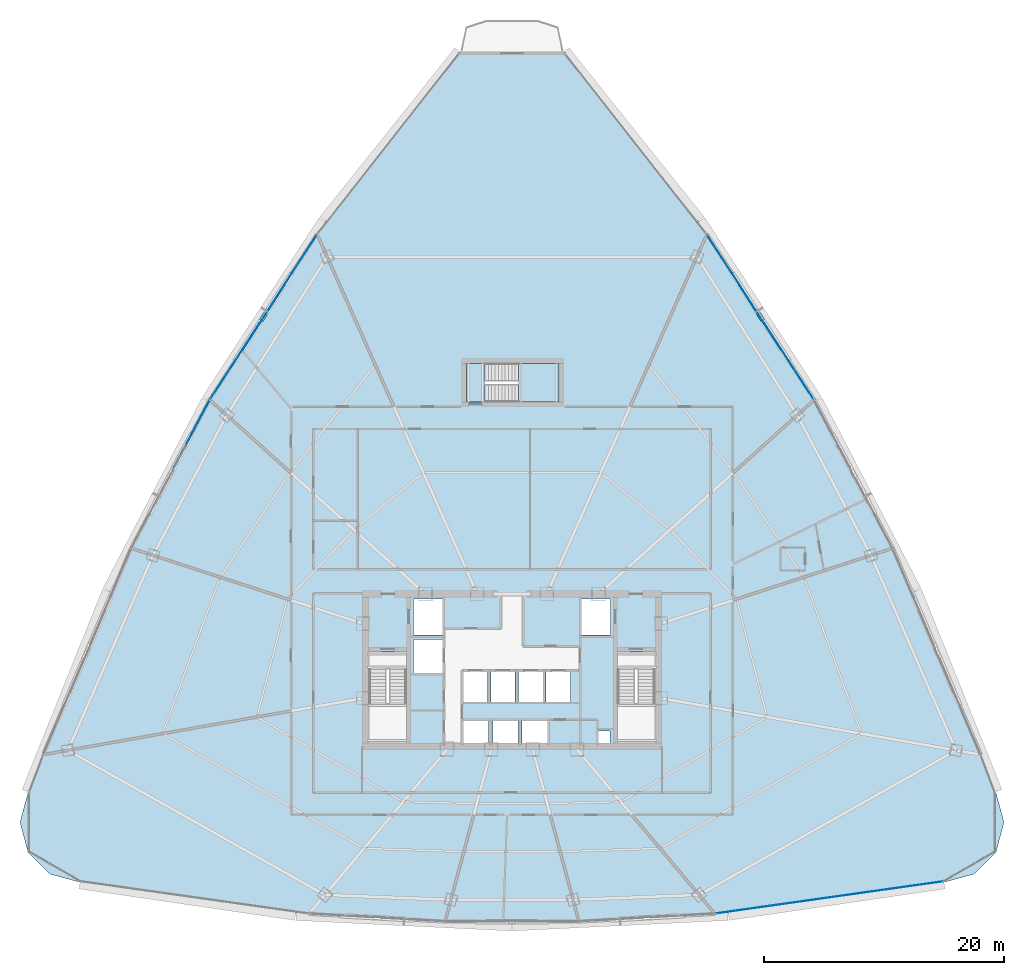
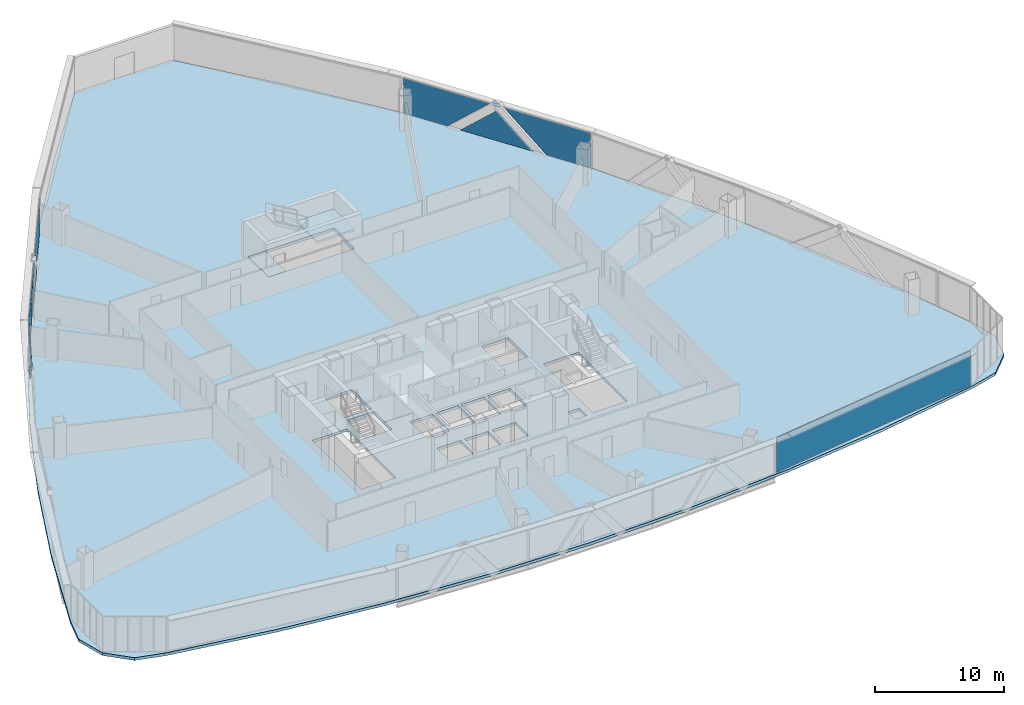
# One storey, part 32 of 42: 10 plates, 3 slabs, 5 elements without a shape of their own.
"""IFC4 building model written with IfcOpenShell, lengths in metres."""

from ifc_helpers import new_model, si_unit, direction, frame, origin, origin_2d, place, context, subcontext, project, spatial, polyline, rectangle, outline, extrude, source, transform, mapped, material, layer, layer_set, type_object, element, aggregate, save


model = new_model("IFC4")

# Units and contexts
model_context = context("Model", 3, precision=1e-05, world=origin(), true_north=direction((0.0, 1.0)))
body_context = subcontext(model_context, "Body", "Model", "MODEL_VIEW")
ifc_project = project(units=[si_unit("LENGTHUNIT", "METRE"), si_unit("AREAUNIT", "SQUARE_METRE"), si_unit("VOLUMEUNIT", "CUBIC_METRE"), si_unit("PLANEANGLEUNIT", "RADIAN"), si_unit("MASSUNIT", "GRAM", prefix="KILO"), si_unit("THERMODYNAMICTEMPERATUREUNIT", "KELVIN"), si_unit("POWERUNIT", "WATT")], contexts=[model_context])

# Site, building, storey
site_placement = place(None, origin())
site = spatial("IfcSite", under=ifc_project, at=site_placement, CompositionType="ELEMENT")
building_placement = place(site_placement, origin())
building = spatial("IfcBuilding", under=site, at=building_placement, Name="Yunzhuo Pagoda Commons", CompositionType="ELEMENT")
storey_placement = place(building_placement, frame((0.0, 0.0, 133.510009765625)))
storey = spatial("IfcBuildingStorey", under=building, at=storey_placement, Name="L33", CompositionType="ELEMENT", Elevation=133.510009765625)

# Curtain wall, plates
ifc_material_1 = material(Name="Anodized aluminium 6063-T6", Category="aluminium")
ifc_layer_1 = layer(ifc_material_1, 0.14990234375)
ifc_layer_set_1 = layer_set([ifc_layer_1], Name="Anodized aluminium 6063-T6")
curtain_wall_type = type_object("IfcCurtainWallType", Name="CW-MID Mid-Zone Ribbon Curtain Wall", PredefinedType="NOTDEFINED", material=ifc_layer_set_1)
curtain_wall_1_placement = place(storey_placement, origin())
curtain_wall_1 = element("IfcCurtainWall", 1, at=curtain_wall_1_placement, inside=storey, type_object=curtain_wall_type, Name="L33 curtain wall CW-L33-F2B4", PredefinedType="NOTDEFINED")
ifc_material_2 = material(Name="Tempered low-e double glazing", Category="glass")
ifc_layer_2 = layer(ifc_material_2, 0.028076171875)
ifc_layer_set_2 = layer_set([ifc_layer_2], Name="Tempered low-e double glazing")
plate_type_1 = type_object("IfcPlateType", Name="CW-MID-P Low-E Double Glazing 28", PredefinedType="CURTAIN_PANEL", material=ifc_layer_set_2)
plate_1_placement = place(storey_placement, frame((71.08251953125, 59.568603515625, 1.7099609375), z_axis=(0.839249165596, 0.543747034977, 0.0), x_axis=(-0.543747034977, 0.839249165596, 0.0)))
plate_1 = element("IfcPlate", 2, at=plate_1_placement, type_object=plate_type_1, Name="CW panel 1.1 lite 1", PredefinedType="CURTAIN_PANEL", context=body_context, shape_type="SweptSolid", body=[
    extrude(outline(polyline([(-3.764404296875, -1.655029296875), (0.067626953125, -1.655029296875), (3.764404296875, 1.655029296875), (-3.764404296875, 1.655029296875), (-3.764404296875, -1.655029296875)])), origin(), (0.0, 0.0, 1.0), 0.028076171875),
])
plate_2_placement = place(storey_placement, frame((68.66748046875, 63.2412109375, 1.482421875), z_axis=(0.839249165596, 0.543747034977, 0.0), x_axis=(-0.543747034977, 0.839249165596, 0.0)))
plate_2 = element("IfcPlate", 3, at=plate_2_placement, type_object=plate_type_1, Name="CW panel 1.1 lite 2", PredefinedType="CURTAIN_PANEL", context=body_context, shape_type="SweptSolid", body=[
    extrude(outline(polyline([(-3.1884765625, -1.427490234375), (3.1884765625, -1.427490234375), (0.0, 1.427490234375), (-3.1884765625, -1.427490234375)])), origin(), (0.0, 0.0, 1.0), 0.028076171875),
])
plate_3_placement = place(storey_placement, frame((66.302490234375, 66.946533203125, 1.7099609375), z_axis=(0.839249165596, 0.543747034977, 0.0), x_axis=(-0.543747034977, 0.839249165596, 0.0)))
plate_3 = element("IfcPlate", 4, at=plate_3_placement, type_object=plate_type_1, Name="CW panel 1.1 lite 3", PredefinedType="CURTAIN_PANEL", context=body_context, shape_type="SweptSolid", body=[
    extrude(outline(polyline([(-3.764404296875, 1.655029296875), (-0.067626953125, -1.655029296875), (3.764404296875, -1.655029296875), (3.764404296875, 1.655029296875), (-3.764404296875, 1.655029296875)])), origin(), (0.0, 0.0, 1.0), 0.028076171875),
])
aggregate(curtain_wall_1, [plate_1, plate_2, plate_3])

curtain_wall_2_placement = place(storey_placement, origin())
curtain_wall_2 = element("IfcCurtainWall", 5, at=curtain_wall_2_placement, inside=storey, type_object=curtain_wall_type, Name="L33 curtain wall CW-L33-F3B2", PredefinedType="NOTDEFINED")
plate_4_placement = place(storey_placement, frame((29.697509765625, 66.946533203125, 1.7099609375), z_axis=(-0.839249165596, 0.543747034977, 0.0), x_axis=(-0.543747034977, -0.839249165596, 0.0)))
plate_4 = element("IfcPlate", 6, at=plate_4_placement, type_object=plate_type_1, Name="CW panel 1.1 lite 1", PredefinedType="CURTAIN_PANEL", context=body_context, shape_type="SweptSolid", body=[
    extrude(outline(polyline([(-3.764404296875, -1.655029296875), (0.067626953125, -1.655029296875), (3.764404296875, 1.655029296875), (-3.764404296875, 1.655029296875), (-3.764404296875, -1.655029296875)])), origin(), (0.0, 0.0, 1.0), 0.028076171875),
])
plate_5_placement = place(storey_placement, frame((27.33251953125, 63.2412109375, 1.482421875), z_axis=(-0.839249165596, 0.543747034977, 0.0), x_axis=(-0.543747034977, -0.839249165596, 0.0)))
plate_5 = element("IfcPlate", 7, at=plate_5_placement, type_object=plate_type_1, Name="CW panel 1.1 lite 2", PredefinedType="CURTAIN_PANEL", context=body_context, shape_type="SweptSolid", body=[
    extrude(outline(polyline([(-3.1884765625, -1.427490234375), (3.1884765625, -1.427490234375), (0.0, 1.427490234375), (-3.1884765625, -1.427490234375)])), origin(), (0.0, 0.0, 1.0), 0.028076171875),
])
plate_6_placement = place(storey_placement, frame((24.91748046875, 59.568603515625, 1.7099609375), z_axis=(-0.839249165596, 0.543747034977, 0.0), x_axis=(-0.543747034977, -0.839249165596, 0.0)))
plate_6 = element("IfcPlate", 8, at=plate_6_placement, type_object=plate_type_1, Name="CW panel 1.1 lite 3", PredefinedType="CURTAIN_PANEL", context=body_context, shape_type="SweptSolid", body=[
    extrude(outline(polyline([(-3.764404296875, 1.655029296875), (-0.067626953125, -1.655029296875), (3.764404296875, -1.655029296875), (3.764404296875, 1.655029296875), (-3.764404296875, 1.655029296875)])), origin(), (0.0, 0.0, 1.0), 0.028076171875),
])
aggregate(curtain_wall_2, [plate_4, plate_5, plate_6])

# Curtain wall, plate
curtain_wall_3_placement = place(storey_placement, origin())
curtain_wall_3 = element("IfcCurtainWall", 9, at=curtain_wall_3_placement, inside=storey, type_object=curtain_wall_type, Name="L33 curtain wall CW-L33-F3B3", PredefinedType="NOTDEFINED")
plate_7_placement = place(storey_placement, frame((21.32275390625, 53.498291015625, 1.7099609375), z_axis=(-0.883694161172, 0.468064770635, 0.0), x_axis=(-0.468064770635, -0.883694161172, 0.0)))
plate_7 = element("IfcPlate", 10, at=plate_7_placement, type_object=plate_type_1, Name="CW panel 1.1 lite 1", PredefinedType="CURTAIN_PANEL", context=body_context, shape_type="SweptSolid", body=[
    extrude(outline(polyline([(-3.178466796875, -1.655029296875), (0.033203125, -1.655029296875), (3.178466796875, 1.655029296875), (-3.178466796875, 1.655029296875), (-3.178466796875, -1.655029296875)])), origin(), (0.0, 0.0, 1.0), 0.028076171875),
])
aggregate(curtain_wall_3, [plate_7])

# Stair, slabs
ifc_material_3 = material(Name="Concrete C40", Category="concrete")
stair_type = type_object("IfcStairType", Name="ST-C3 North Tower Smokeproof Stair ST3", PredefinedType="HALF_TURN_STAIR", material=ifc_material_3)
stair_placement = place(storey_placement, origin())
stair = element("IfcStair", 11, at=stair_placement, inside=storey, type_object=stair_type, Name="L33 North tower smokeproof stair ST3", PredefinedType="HALF_TURN_STAIR")
ifc_layer_3 = layer(ifc_material_3, 0.2041015625)
ifc_layer_set_3 = layer_set([ifc_layer_3], Name="Concrete C40")
slab_type_1 = type_object("IfcSlabType", Name="SL-LND5 North Landing Slab 204", PredefinedType="LANDING", material=ifc_layer_set_3)
slab_1_placement = place(storey_placement, frame((0.0, 0.0, 1.639892578125)))
slab_1 = element("IfcSlab", 12, at=slab_1_placement, type_object=slab_type_1, Name="ST3 landing 1", PredefinedType="LANDING", context=body_context, shape_type="SweptSolid", body=[
    extrude(outline(polyline([(48.550048828125, 56.199951171875), (51.89990234375, 56.199951171875), (51.89990234375, 59.39990234375), (48.550048828125, 59.39990234375), (48.550048828125, 56.199951171875)])), origin(), (0.0, 0.0, 1.0), 0.2001953125),
])
slab_2_placement = place(storey_placement, frame((0.0, 0.0, -0.199951171875)))
slab_2 = element("IfcSlab", 13, at=slab_2_placement, type_object=slab_type_1, Name="ST3 floor landing L33", PredefinedType="LANDING", context=body_context, shape_type="SweptSolid", body=[
    extrude(outline(polyline([(44.199951171875, 56.199951171875), (45.75, 56.199951171875), (45.75, 59.39990234375), (44.199951171875, 59.39990234375), (44.199951171875, 56.199951171875)])), origin(), (0.0, 0.0, 1.0), 0.199951171875),
])
aggregate(stair, [slab_1, slab_2])

# Slab
ifc_layer_4 = layer(ifc_material_3, 0.260009765625)
ifc_layer_set_4 = layer_set([ifc_layer_4], Name="Concrete C40")
slab_type_2 = type_object("IfcSlabType", Name="SL-TWR Typical Tower Floor Slab 260", PredefinedType="FLOOR", material=ifc_layer_set_4)
slab_3_placement = place(storey_placement, frame((0.0, 0.0, -0.260009765625)))
element("IfcSlab", 14, at=slab_3_placement, inside=storey, type_object=slab_type_2, Name="L33 structural floor slab", PredefinedType="FLOOR", context=body_context, shape_type="SweptSolid", body=[
    extrude(outline(polyline([(10.864013671875, 32.16552734375), (14.41943359375, 40.42919921875), (18.353515625, 48.47216796875), (22.665771484375, 56.294189453125), (27.3564453125, 63.895263671875), (32.425537109375, 71.275390625), (37.872802734375, 78.434814453125), (43.69873046875, 85.37353515625), (52.30126953125, 85.37353515625), (58.127197265625, 78.434814453125), (63.574462890625, 71.275390625), (68.6435546875, 63.895263671875), (73.334228515625, 56.294189453125), (77.646484375, 48.47216796875), (81.58056640625, 40.42919921875), (85.135986328125, 32.16552734375), (88.3134765625, 23.680908203125), (88.99267578125, 21.18798828125), (88.331298828125, 18.690185546875), (86.507568359375, 16.85986328125), (84.01220703125, 16.189697265625), (75.009033203125, 14.65625), (66.006103515625, 13.56103515625), (57.0029296875, 12.90380859375), (48.0, 12.684814453125), (38.9970703125, 12.90380859375), (29.993896484375, 13.56103515625), (20.990966796875, 14.65625), (11.98779296875, 16.189697265625), (9.492431640625, 16.85986328125), (7.668701171875, 18.690185546875), (7.00732421875, 21.18798828125), (7.6865234375, 23.680908203125), (10.864013671875, 32.16552734375)]), holes=[polyline([(46.050048828125, 29.64990234375), (43.949951171875, 29.64990234375), (43.949951171875, 27.60009765625), (46.050048828125, 27.60009765625), (46.050048828125, 29.64990234375)]), polyline([(48.5, 27.60009765625), (48.5, 29.64990234375), (46.39990234375, 29.64990234375), (46.39990234375, 27.60009765625), (48.5, 27.60009765625)]), polyline([(36.10009765625, 27.800048828125), (39.199951171875, 27.800048828125), (39.199951171875, 35.39990234375), (36.10009765625, 35.39990234375), (36.10009765625, 27.800048828125)]), polyline([(45.969970703125, 31.199951171875), (45.969970703125, 33.800048828125), (43.929931640625, 33.800048828125), (43.929931640625, 31.199951171875), (45.969970703125, 31.199951171875)]), polyline([(48.27001953125, 31.199951171875), (48.27001953125, 33.800048828125), (46.22998046875, 33.800048828125), (46.22998046875, 31.199951171875), (48.27001953125, 31.199951171875)]), polyline([(42.199951171875, 33.60009765625), (42.199951171875, 36.39990234375), (39.800048828125, 36.39990234375), (39.800048828125, 33.60009765625), (42.199951171875, 33.60009765625)]), polyline([(42.199951171875, 36.800048828125), (42.199951171875, 39.800048828125), (39.800048828125, 39.800048828125), (39.800048828125, 36.800048828125), (42.199951171875, 36.800048828125)]), polyline([(56.179931640625, 28.800048828125), (55.179931640625, 28.800048828125), (55.179931640625, 27.699951171875), (56.179931640625, 27.699951171875), (56.179931640625, 28.800048828125)]), polyline([(50.949951171875, 27.60009765625), (50.949951171875, 29.64990234375), (48.85009765625, 29.64990234375), (48.85009765625, 27.60009765625), (50.949951171875, 27.60009765625)]), polyline([(56.800048828125, 27.800048828125), (59.89990234375, 27.800048828125), (59.89990234375, 35.39990234375), (56.800048828125, 35.39990234375), (56.800048828125, 27.800048828125)]), polyline([(50.570068359375, 31.199951171875), (50.570068359375, 33.800048828125), (48.530029296875, 33.800048828125), (48.530029296875, 31.199951171875), (50.570068359375, 31.199951171875)]), polyline([(52.8701171875, 31.199951171875), (52.8701171875, 33.800048828125), (50.830078125, 33.800048828125), (50.830078125, 31.199951171875), (52.8701171875, 31.199951171875)]), polyline([(56.199951171875, 36.800048828125), (56.199951171875, 39.800048828125), (53.800048828125, 39.800048828125), (53.800048828125, 36.800048828125), (56.199951171875, 36.800048828125)]), polyline([(51.89990234375, 56.199951171875), (51.89990234375, 59.39990234375), (44.199951171875, 59.39990234375), (44.199951171875, 56.199951171875), (51.89990234375, 56.199951171875)])]), origin(), (0.0, 0.0, 1.0), 0.260009765625),
])

# Plates
ifc_material_4 = material(Name="Structural steel Q355B", Category="steel")
ifc_layer_5 = layer(ifc_material_4, 0.028076171875)
ifc_layer_set_5 = layer_set([ifc_layer_5], Name="Structural steel Q355B")
plate_type_2 = type_object("IfcPlateType", Name="SP-ND1 Lattice Node Cap Plate 800x500x28", PredefinedType="USERDEFINED", material=ifc_layer_set_5)
shared_shape_1 = source(origin(), body_context, "Body", "SweptSolid", [
    extrude(rectangle(XDim=0.699951171875, YDim=0.35009765625, at=origin_2d()), origin(), (0.0, 0.0, 1.0), 0.035888671875),
])
for number, where, z_axis, x_axis, name in (
    (15, (68.704345703125, 63.26513671875, 3.3818359375), (0.0, 0.0, 1.0), (-0.543745835187, 0.839249942935, 0.0), "L33 setback lattice tie plate F2.3L"),
    (16, (27.295654296875, 63.26513671875, 3.3818359375), (0.0, 0.0, 1.0), (-0.543745835187, -0.839249942935, 0.0), "L33 setback lattice tie plate F3.1L"),
):
    element("IfcPlate", number, at=place(storey_placement, frame(where, z_axis=z_axis, x_axis=x_axis)), inside=storey, type_object=plate_type_2, Name=name, ObjectType="STIFFENER_PLATE", PredefinedType="USERDEFINED", context=body_context, shape_type="MappedRepresentation", body=[
        mapped(shared_shape_1, transform((0.0, 0.0, 0.0), scale=1.0)),
    ])

# Curtain wall, plate
curtain_wall_4_placement = place(storey_placement, origin())
curtain_wall_4 = element("IfcCurtainWall", 17, at=curtain_wall_4_placement, inside=storey, type_object=curtain_wall_type, Name="L33 curtain wall CW-L33-F1B5", PredefinedType="NOTDEFINED")
shared_shape_2 = source(origin(), body_context, "Body", "SweptSolid", [
    extrude(rectangle(XDim=19.068359375, YDim=0.028076171875, at=origin_2d()), origin(), (0.0, 0.0, 1.0), 3.31005859375),
])
plate_8_placement = place(storey_placement, frame((74.472412109375, 14.915283203125, 0.054931640625), z_axis=(0.0, 0.0, 1.0), x_axis=(0.990147694104, 0.140026939768, 0.0)))
plate_8 = element("IfcPlate", 18, at=plate_8_placement, type_object=plate_type_1, Name="CW panel 1.1", PredefinedType="CURTAIN_PANEL", context=body_context, shape_type="MappedRepresentation", body=[
    mapped(shared_shape_2, transform((0.0, 0.0, 0.0), scale=1.0)),
])
aggregate(curtain_wall_4, [plate_8])

save(model, "model.ifc")
